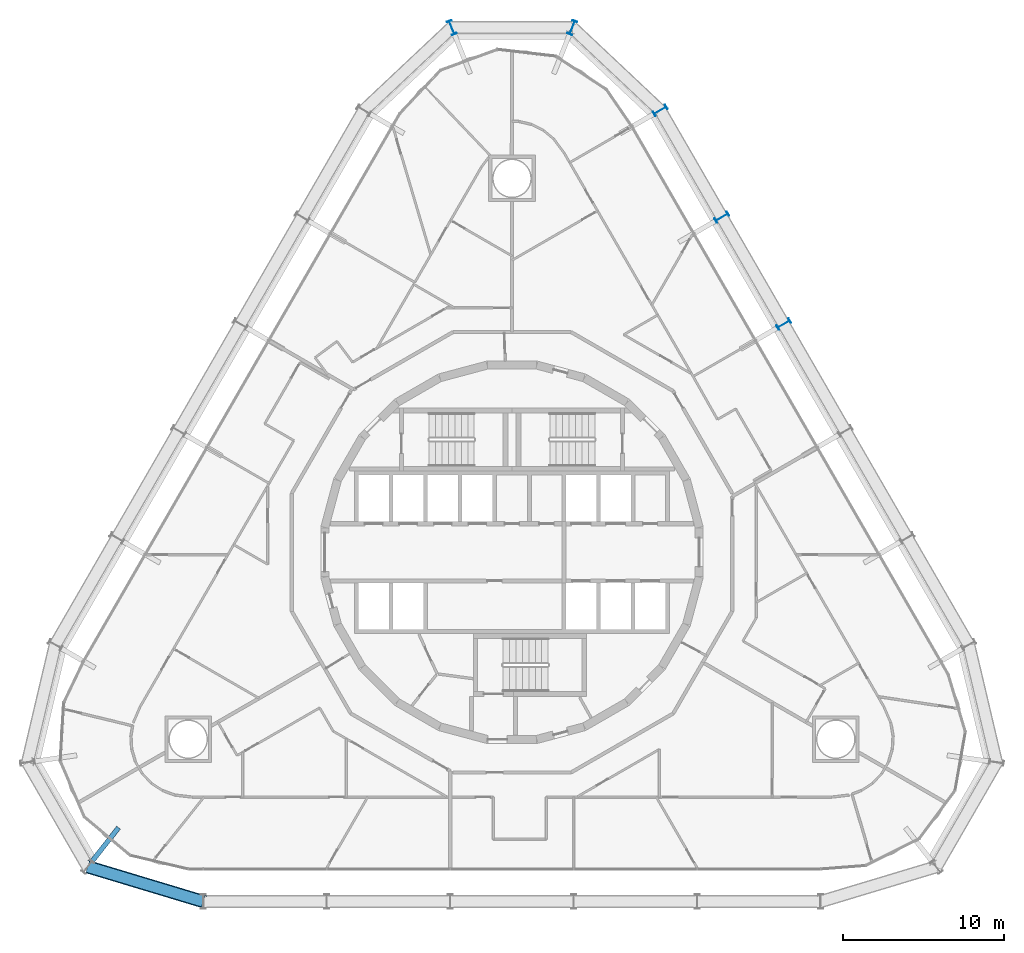
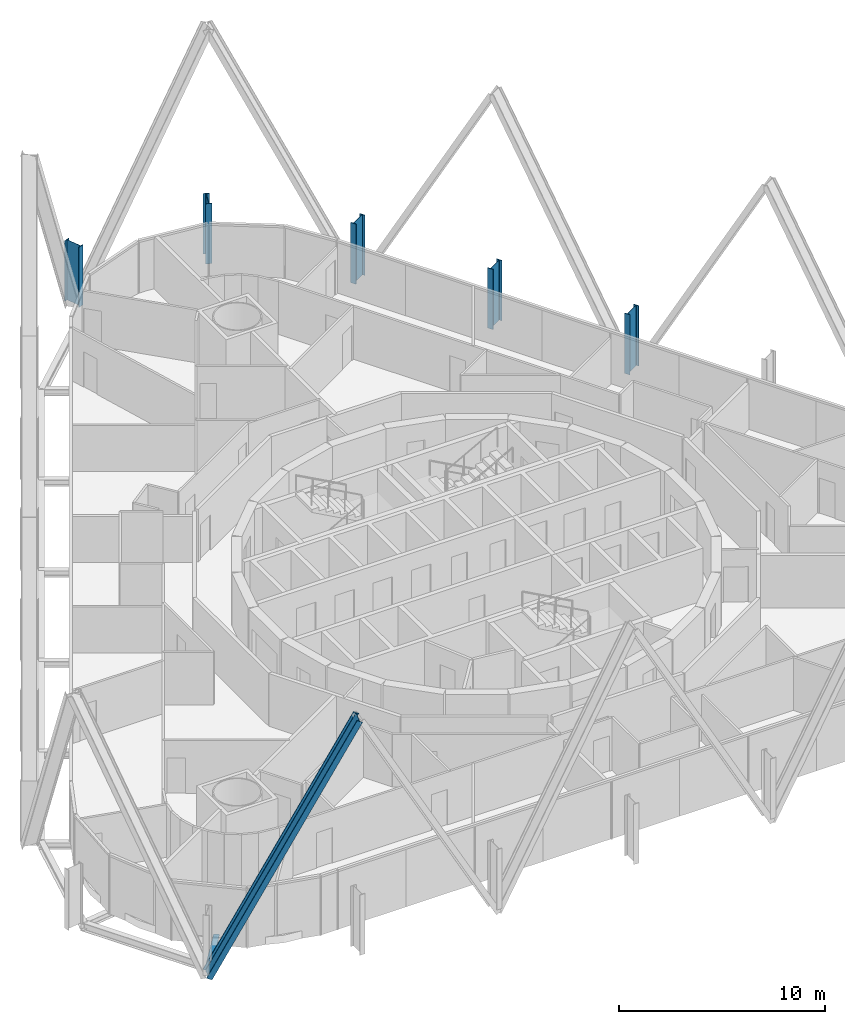
# One storey, part 2 of 21: 5 columns, 1 beam, 1 member.
"""IFC4 building model written with IfcOpenShell, lengths in metres."""

from ifc_helpers import new_model, si_unit, direction, frame, origin, origin_2d, place, context, subcontext, project, spatial, i_section, extrude, material, material_profile, profile_set, type_object, element, save


model = new_model("IFC4")

# Units and contexts
model_context = context("Model", 3, precision=1e-05, world=origin(), true_north=direction((0.0, 1.0)))
body_context = subcontext(model_context, "Body", "Model", "MODEL_VIEW")
ifc_project = project(units=[si_unit("LENGTHUNIT", "METRE"), si_unit("AREAUNIT", "SQUARE_METRE"), si_unit("VOLUMEUNIT", "CUBIC_METRE"), si_unit("PLANEANGLEUNIT", "RADIAN"), si_unit("MASSUNIT", "GRAM", prefix="KILO")], contexts=[model_context])

# Site, building, storey
site_placement = place(None, origin())
site = spatial("IfcSite", under=ifc_project, at=site_placement, CompositionType="ELEMENT")
building_placement = place(site_placement, origin())
building = spatial("IfcBuilding", under=site, at=building_placement, Name="Spindle Arch Residences", CompositionType="ELEMENT")
storey_placement = place(building_placement, frame((0.0, 0.0, 38.39990234375)))
storey = spatial("IfcBuildingStorey", under=building, at=storey_placement, Name="L07", CompositionType="ELEMENT", Elevation=38.39990234375)

# Columns
ifc_material_1 = material(Name="Steel S460ML, intumescent coating R 240", Category="steel")
ifc_material_profile_1 = material_profile(ifc_material_1, i_section(OverallWidth=0.300048828125, OverallDepth=0.89990234375, WebThickness=0.0185546875, FlangeThickness=0.034912109375, FilletRadius=0.030029296875, at=origin_2d()), Name="HEB 900")
ifc_profile_set_1 = profile_set([ifc_material_profile_1], Name="Steel S460ML, intumescent coating R 240")
column_type = type_object("IfcColumnType", Name="Exoskeleton post HEB 900", PredefinedType="COLUMN", material=ifc_profile_set_1)
for number, where, z_axis, x_axis, name in (
    (1, (16.898681640625, 14.1904296875, -0.449951171875), (0.0, 0.0, 1.0), (0.50000017485, -0.866025302835, 0.0), "Exoskeleton post 9"),
    (2, (13.05859375, 20.841796875, -0.449951171875), (0.0, 0.0, 1.0), (0.50000017485, -0.866025302835, 0.0), "Exoskeleton post 10"),
    (3, (9.218505859375, 27.492919921875, -0.449951171875), (0.0, 0.0, 1.0), (0.50000017485, -0.866025302835, 0.0), "Exoskeleton post 11"),
    (4, (3.748291015625, 32.638671875, -0.449951171875), (0.0, 0.0, 1.0), (0.928589751246, -0.371107900591, 0.0), "Exoskeleton post 12"),
    (5, (-3.748291015625, 32.638671875, -0.449951171875), (0.0, 0.0, 1.0), (0.928589751246, 0.371107900591, 0.0), "Exoskeleton post 13"),
):
    element("IfcColumn", number, at=place(storey_placement, frame(where, z_axis=z_axis, x_axis=x_axis)), inside=storey, type_object=column_type, Name=name, PredefinedType="COLUMN", context=body_context, shape_type="SweptSolid", body=[
        extrude(i_section(OverallWidth=0.300048828125, OverallDepth=0.89990234375, WebThickness=0.0185546875, FlangeThickness=0.034912109375, FilletRadius=0.030029296875, at=origin_2d()), origin(), (0.0, 0.0, 1.0), 3.570068359375),
    ])

# Member
ifc_material_2 = material(Name="Steel S460ML, intumescent coating R 240", Category="steel")
ifc_material_profile_2 = material_profile(ifc_material_2, i_section(OverallWidth=0.302978515625, OverallDepth=0.81396484375, WebThickness=0.02099609375, FlangeThickness=0.0400390625, FilletRadius=0.030029296875, at=origin_2d()), Name="HEM 800")
ifc_profile_set_2 = profile_set([ifc_material_profile_2], Name="Steel S460ML, intumescent coating R 240")
member_type = type_object("IfcMemberType", Name="Diagrid diagonal HEM 800", PredefinedType="BRACE", material=ifc_profile_set_2)
member_placement = place(storey_placement, frame((-26.3916015625, -19.565185546875, -0.699951171875), z_axis=(0.450901124329, -0.135732627289, 0.882193193109), x_axis=(-0.84474908319, 0.254290810723, 0.47088764056)))
element("IfcMember", 6, at=member_placement, inside=storey, type_object=member_type, Name="Diagrid diagonal 1.1.21", PredefinedType="BRACE", context=body_context, shape_type="SweptSolid", body=[
    extrude(i_section(OverallWidth=0.302978515625, OverallDepth=0.81396484375, WebThickness=0.02099609375, FlangeThickness=0.0400390625, FilletRadius=0.030029296875, at=origin_2d()), origin(), (0.0, 0.0, 1.0), 15.948974609375),
])

# Beam
ifc_material_3 = material(Name="Steel S460ML, intumescent coating R 120", Category="steel")
ifc_material_profile_3 = material_profile(ifc_material_3, i_section(OverallWidth=0.300048828125, OverallDepth=0.389892578125, WebThickness=0.010986328125, FlangeThickness=0.01904296875, FilletRadius=0.027099609375, at=origin_2d()), Name="HEA 400")
ifc_profile_set_3 = profile_set([ifc_material_profile_3], Name="Steel S460ML, intumescent coating R 120")
beam_type = type_object("IfcBeamType", Name="Floor outrigger HEA 400", PredefinedType="BEAM", material=ifc_profile_set_3)
beam_placement = place(storey_placement, frame((-26.11328125, -19.211669921875, -0.64501953125), z_axis=(0.618586231558, 0.785716917297, 0.0), x_axis=(-0.785716917297, 0.618586231558, 0.0)))
element("IfcBeam", 7, at=beam_placement, inside=storey, type_object=beam_type, Name="Floor outrigger 21", PredefinedType="BEAM", context=body_context, shape_type="SweptSolid", body=[
    extrude(i_section(OverallWidth=0.300048828125, OverallDepth=0.389892578125, WebThickness=0.010986328125, FlangeThickness=0.01904296875, FilletRadius=0.027099609375, at=origin_2d()), origin(), (0.0, 0.0, 1.0), 2.64990234375),
])

save(model, "model.ifc")
